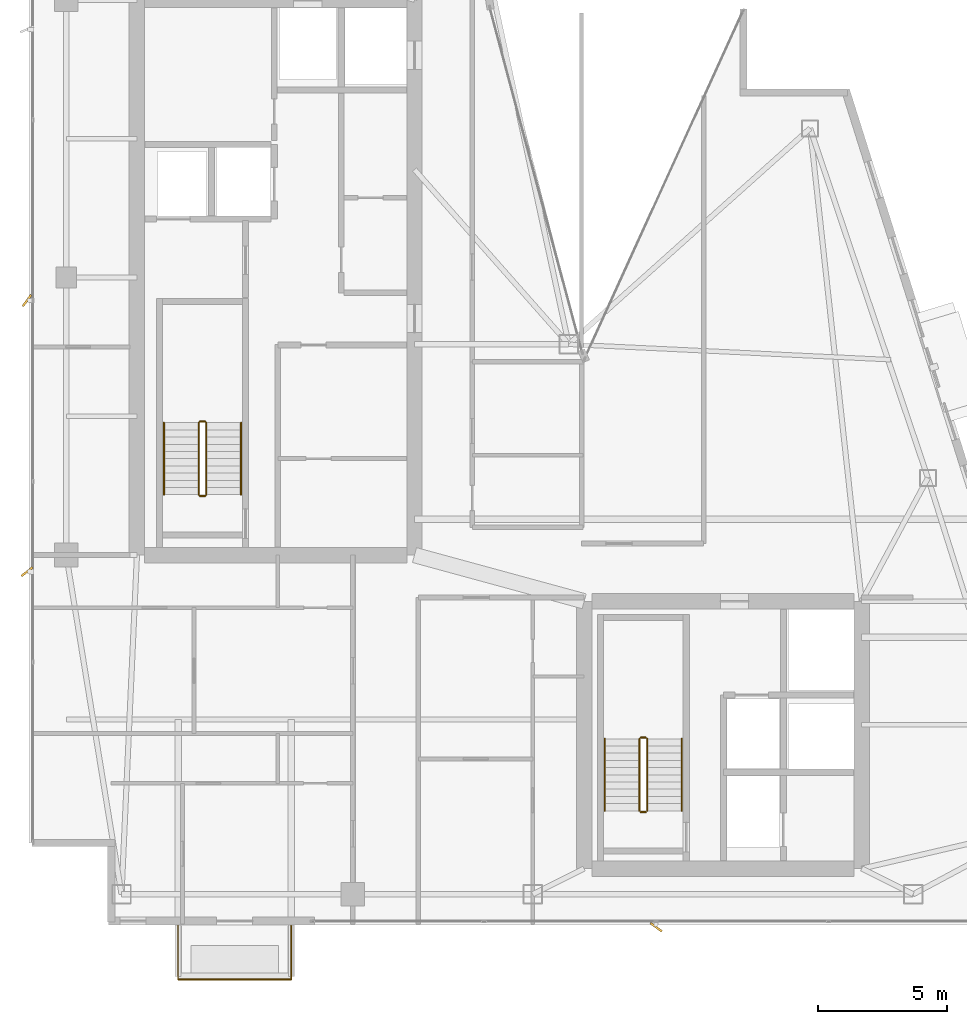
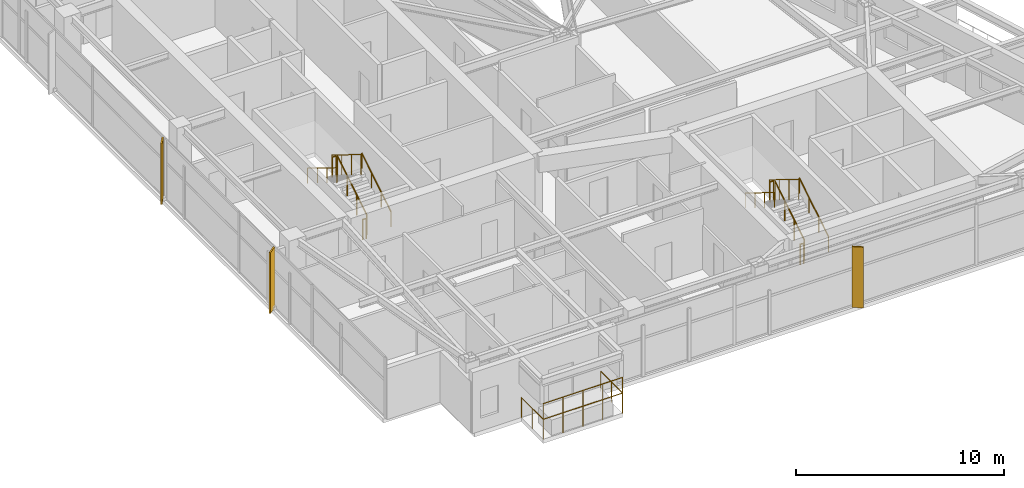
# One storey, part 26 of 27: 14 railings, 3 shading devices.
"""IFC4 building model written with IfcOpenShell, lengths in metres."""

from ifc_helpers import new_model, si_unit, direction, frame, origin, origin_2d, place, context, subcontext, project, spatial, rectangle, circle, extrude, material, type_object, element, save


model = new_model("IFC4")

# Units and contexts
model_context = context("Model", 3, precision=1e-05, world=origin(), true_north=direction((0.0, 1.0)))
body_context = subcontext(model_context, "Body", "Model", "MODEL_VIEW")
ifc_project = project(units=[si_unit("LENGTHUNIT", "METRE"), si_unit("AREAUNIT", "SQUARE_METRE"), si_unit("VOLUMEUNIT", "CUBIC_METRE"), si_unit("PLANEANGLEUNIT", "RADIAN"), si_unit("MASSUNIT", "GRAM", prefix="KILO")], contexts=[model_context])

# Site, building, storey
site_placement = place(None, origin())
site = spatial("IfcSite", under=ifc_project, at=site_placement, CompositionType="ELEMENT")
building_placement = place(site_placement, origin())
building = spatial("IfcBuilding", under=site, at=building_placement, Name="Calvorn Quay Hotel", CompositionType="ELEMENT")
storey_placement = place(building_placement, frame((0.0, 0.0, 294.89990234375)))
storey = spatial("IfcBuildingStorey", under=building, at=storey_placement, Name="L73", CompositionType="ELEMENT", Elevation=294.89990234375)

# Railings
ifc_material_1 = material(Name="Pale Anodised Aluminium and Laminated Glass", Category="aluminium")
railing_type_1 = type_object("IfcRailingType", Name="RLG-BALUSTRADE-1200", PredefinedType="BALUSTRADE", material=ifc_material_1)
railing_1_placement = place(storey_placement, frame((5.800048828125, 2.389892578125, 0.0)))
element("IfcRailing", 1, at=railing_1_placement, inside=storey, type_object=railing_type_1, Name="Tree Balcony Perimeter Balustrade L73-BALC-S", PredefinedType="BALUSTRADE", context=body_context, shape_type="SweptSolid", body=[
    extrude(circle(Radius=0.02392578125, at=origin_2d()), frame((0.0, 0.0, 1.17578125), z_axis=(0.0, -1.0, 0.0), x_axis=(1.0, 0.0, 0.0)), (0.0, 0.0, 1.0), 2.099853515625),
    extrude(circle(Radius=0.02392578125, at=origin_2d()), frame((0.0, -2.099853515625, 1.17578125), z_axis=(1.0, 0.0, 0.0), x_axis=(0.0, 1.0, 0.0)), (0.0, 0.0, 1.0), 4.39990234375),
    extrude(circle(Radius=0.02392578125, at=origin_2d()), frame((4.39990234375, -2.099853515625, 1.17578125), z_axis=(0.0, 1.0, 0.0), x_axis=(-1.0, 0.0, 0.0)), (0.0, 0.0, 1.0), 2.099853515625),
    extrude(circle(Radius=0.02099609375, at=origin_2d()), origin(), (0.0, 0.0, 1.0), 1.15185546875),
    extrude(circle(Radius=0.02099609375, at=origin_2d()), frame((0.0, -1.0498046875, 0.0)), (0.0, 0.0, 1.0), 1.15185546875),
    extrude(circle(Radius=0.02099609375, at=origin_2d()), frame((0.0, -2.099853515625, 0.0)), (0.0, 0.0, 1.0), 1.15185546875),
    extrude(circle(Radius=0.02099609375, at=origin_2d()), frame((1.10009765625, -2.099853515625, 0.0)), (0.0, 0.0, 1.0), 1.15185546875),
    extrude(circle(Radius=0.02099609375, at=origin_2d()), frame((2.199951171875, -2.099853515625, 0.0)), (0.0, 0.0, 1.0), 1.15185546875),
    extrude(circle(Radius=0.02099609375, at=origin_2d()), frame((3.2998046875, -2.099853515625, 0.0)), (0.0, 0.0, 1.0), 1.15185546875),
    extrude(circle(Radius=0.02099609375, at=origin_2d()), frame((4.39990234375, -2.099853515625, 0.0)), (0.0, 0.0, 1.0), 1.15185546875),
    extrude(circle(Radius=0.02099609375, at=origin_2d()), frame((4.39990234375, -1.0498046875, 0.0)), (0.0, 0.0, 1.0), 1.15185546875),
    extrude(circle(Radius=0.02099609375, at=origin_2d()), frame((4.39990234375, 0.0, 0.0)), (0.0, 0.0, 1.0), 1.15185546875),
])
railing_2_placement = place(storey_placement, frame((5.800048828125, 0.2900390625, 0.900146484375)))
element("IfcRailing", 2, at=railing_2_placement, inside=storey, type_object=railing_type_1, Name="Planter Kerb High Safety Screen L73-BALC-S", PredefinedType="BALUSTRADE", context=body_context, shape_type="SweptSolid", body=[
    extrude(circle(Radius=0.02392578125, at=origin_2d()), frame((0.0, 0.0, 1.19580078125), z_axis=(1.0, 0.0, 0.0), x_axis=(0.0, 1.0, 0.0)), (0.0, 0.0, 1.0), 4.39990234375),
    extrude(circle(Radius=0.02099609375, at=origin_2d()), origin(), (0.0, 0.0, 1.0), 1.171875),
    extrude(circle(Radius=0.02099609375, at=origin_2d()), frame((1.10009765625, 0.0, 0.0)), (0.0, 0.0, 1.0), 1.171875),
    extrude(circle(Radius=0.02099609375, at=origin_2d()), frame((2.199951171875, 0.0, 0.0)), (0.0, 0.0, 1.0), 1.171875),
    extrude(circle(Radius=0.02099609375, at=origin_2d()), frame((3.2998046875, 0.0, 0.0)), (0.0, 0.0, 1.0), 1.171875),
    extrude(circle(Radius=0.02099609375, at=origin_2d()), frame((4.39990234375, 0.0, 0.0)), (0.0, 0.0, 1.0), 1.171875),
])
ifc_material_2 = material(Name="Brushed Stainless Steel Handrail", Category="steel")
railing_type_2 = type_object("IfcRailingType", Name="RLG-HANDRAIL-900", PredefinedType="HANDRAIL", material=ifc_material_2)
railing_3_placement = place(storey_placement, frame((8.25, 19.14990234375, 0.1728515625)))
element("IfcRailing", 3, at=railing_3_placement, inside=storey, type_object=railing_type_2, Name="L73 ST-W stair handrail 1", PredefinedType="HANDRAIL", context=body_context, shape_type="SweptSolid", body=[
    extrude(circle(Radius=0.02392578125, at=origin_2d()), frame((0.0, 0.0, 0.8759765625), z_axis=(0.0, 0.851089632645, 0.525020415988), x_axis=(-1.0, 0.0, 0.0)), (0.0, 0.0, 1.0), 3.2900390625),
    extrude(circle(Radius=0.02099609375, at=origin_2d()), origin(), (0.0, 0.0, 1.0), 0.851806640625),
    extrude(circle(Radius=0.02099609375, at=origin_2d()), frame((0.0, 0.933349609375, 0.57568359375)), (0.0, 0.0, 1.0), 0.851806640625),
    extrude(circle(Radius=0.02099609375, at=origin_2d()), frame((0.0, 1.86669921875, 1.151611328125)), (0.0, 0.0, 1.0), 0.851806640625),
    extrude(circle(Radius=0.02099609375, at=origin_2d()), frame((0.0, 2.800048828125, 1.727294921875)), (0.0, 0.0, 1.0), 0.851806640625),
])
railing_4_placement = place(storey_placement, frame((5.25, 21.949951171875, 2.07275390625)))
element("IfcRailing", 4, at=railing_4_placement, inside=storey, type_object=railing_type_2, Name="L73 ST-W stair handrail 2", PredefinedType="HANDRAIL", context=body_context, shape_type="SweptSolid", body=[
    extrude(circle(Radius=0.02392578125, at=origin_2d()), frame((0.0, 0.0, 0.8759765625), z_axis=(0.0, -0.851089632645, 0.525020415988), x_axis=(1.0, 0.0, 0.0)), (0.0, 0.0, 1.0), 3.2900390625),
    extrude(circle(Radius=0.02099609375, at=origin_2d()), origin(), (0.0, 0.0, 1.0), 0.851806640625),
    extrude(circle(Radius=0.02099609375, at=origin_2d()), frame((0.0, -0.933349609375, 0.57568359375)), (0.0, 0.0, 1.0), 0.851806640625),
    extrude(circle(Radius=0.02099609375, at=origin_2d()), frame((0.0, -1.86669921875, 1.151611328125)), (0.0, 0.0, 1.0), 0.851806640625),
    extrude(circle(Radius=0.02099609375, at=origin_2d()), frame((0.0, -2.800048828125, 1.727294921875)), (0.0, 0.0, 1.0), 0.851806640625),
])
railing_5_placement = place(storey_placement, frame((25.39990234375, 6.85009765625, 0.1728515625)))
element("IfcRailing", 5, at=railing_5_placement, inside=storey, type_object=railing_type_2, Name="L73 ST-E stair handrail 1", PredefinedType="HANDRAIL", context=body_context, shape_type="SweptSolid", body=[
    extrude(circle(Radius=0.02392578125, at=origin_2d()), frame((0.0, 0.0, 0.8759765625), z_axis=(0.0, 0.851069175582, 0.525053576669), x_axis=(-1.0, 0.0, 0.0)), (0.0, 0.0, 1.0), 3.289794921875),
    extrude(circle(Radius=0.02099609375, at=origin_2d()), origin(), (0.0, 0.0, 1.0), 0.851806640625),
    extrude(circle(Radius=0.02099609375, at=origin_2d()), frame((0.0, 0.933349609375, 0.57568359375)), (0.0, 0.0, 1.0), 0.851806640625),
    extrude(circle(Radius=0.02099609375, at=origin_2d()), frame((0.0, 1.866455078125, 1.151611328125)), (0.0, 0.0, 1.0), 0.851806640625),
    extrude(circle(Radius=0.02099609375, at=origin_2d()), frame((0.0, 2.7998046875, 1.727294921875)), (0.0, 0.0, 1.0), 0.851806640625),
])
railing_6_placement = place(storey_placement, frame((22.39990234375, 9.64990234375, 2.07275390625)))
element("IfcRailing", 6, at=railing_6_placement, inside=storey, type_object=railing_type_2, Name="L73 ST-E stair handrail 2", PredefinedType="HANDRAIL", context=body_context, shape_type="SweptSolid", body=[
    extrude(circle(Radius=0.02392578125, at=origin_2d()), frame((0.0, 0.0, 0.8759765625), z_axis=(0.0, -0.851069175582, 0.525053576669), x_axis=(1.0, 0.0, 0.0)), (0.0, 0.0, 1.0), 3.289794921875),
    extrude(circle(Radius=0.02099609375, at=origin_2d()), origin(), (0.0, 0.0, 1.0), 0.851806640625),
    extrude(circle(Radius=0.02099609375, at=origin_2d()), frame((0.0, -0.933349609375, 0.57568359375)), (0.0, 0.0, 1.0), 0.851806640625),
    extrude(circle(Radius=0.02099609375, at=origin_2d()), frame((0.0, -1.866455078125, 1.151611328125)), (0.0, 0.0, 1.0), 0.851806640625),
    extrude(circle(Radius=0.02099609375, at=origin_2d()), frame((0.0, -2.7998046875, 1.727294921875)), (0.0, 0.0, 1.0), 0.851806640625),
])
ifc_material_3 = material(Name="Painted Galvanised Steel Balustrade", Category="steel")
railing_type_3 = type_object("IfcRailingType", Name="RLG-STAIR-GUARD-1120", PredefinedType="GUARDRAIL", material=ifc_material_3)
railing_7_placement = place(storey_placement, frame((6.89990234375, 19.14990234375, 0.1728515625)))
element("IfcRailing", 7, at=railing_7_placement, inside=storey, type_object=railing_type_3, Name="L73 ST-W stair guard 1", PredefinedType="GUARDRAIL", context=body_context, shape_type="SweptSolid", body=[
    extrude(circle(Radius=0.02392578125, at=origin_2d()), frame((0.0, 0.0, 1.17578125), z_axis=(0.0, 0.851089632645, 0.525020415988), x_axis=(-1.0, 0.0, 0.0)), (0.0, 0.0, 1.0), 3.2900390625),
    extrude(circle(Radius=0.02099609375, at=origin_2d()), origin(), (0.0, 0.0, 1.0), 1.15185546875),
    extrude(circle(Radius=0.02099609375, at=origin_2d()), frame((0.0, 0.933349609375, 0.57568359375)), (0.0, 0.0, 1.0), 1.15185546875),
    extrude(circle(Radius=0.02099609375, at=origin_2d()), frame((0.0, 1.86669921875, 1.151611328125)), (0.0, 0.0, 1.0), 1.15185546875),
    extrude(circle(Radius=0.02099609375, at=origin_2d()), frame((0.0, 2.800048828125, 1.727294921875)), (0.0, 0.0, 1.0), 1.15185546875),
])
railing_8_placement = place(storey_placement, frame((6.85009765625, 22.0, 1.900146484375)))
element("IfcRailing", 8, at=railing_8_placement, inside=storey, type_object=railing_type_3, Name="L73 ST-W stair guard 2", PredefinedType="GUARDRAIL", context=body_context, shape_type="SweptSolid", body=[
    extrude(circle(Radius=0.02392578125, at=origin_2d()), frame((0.0, 0.0, 1.17578125), z_axis=(-1.0, 0.0, 0.0), x_axis=(0.0, -1.0, 0.0)), (0.0, 0.0, 1.0), 0.2001953125),
    extrude(circle(Radius=0.02099609375, at=origin_2d()), origin(), (0.0, 0.0, 1.0), 1.15185546875),
    extrude(circle(Radius=0.02099609375, at=origin_2d()), frame((-0.2001953125, 0.0, 0.0)), (0.0, 0.0, 1.0), 1.15185546875),
])
railing_9_placement = place(storey_placement, frame((6.60009765625, 21.949951171875, 2.07275390625)))
element("IfcRailing", 9, at=railing_9_placement, inside=storey, type_object=railing_type_3, Name="L73 ST-W stair guard 3", PredefinedType="GUARDRAIL", context=body_context, shape_type="SweptSolid", body=[
    extrude(circle(Radius=0.02392578125, at=origin_2d()), frame((0.0, 0.0, 1.17578125), z_axis=(0.0, -0.851089632645, 0.525020415988), x_axis=(1.0, 0.0, 0.0)), (0.0, 0.0, 1.0), 3.2900390625),
    extrude(circle(Radius=0.02099609375, at=origin_2d()), origin(), (0.0, 0.0, 1.0), 1.15185546875),
    extrude(circle(Radius=0.02099609375, at=origin_2d()), frame((0.0, -0.933349609375, 0.57568359375)), (0.0, 0.0, 1.0), 1.15185546875),
    extrude(circle(Radius=0.02099609375, at=origin_2d()), frame((0.0, -1.86669921875, 1.151611328125)), (0.0, 0.0, 1.0), 1.15185546875),
    extrude(circle(Radius=0.02099609375, at=origin_2d()), frame((0.0, -2.800048828125, 1.727294921875)), (0.0, 0.0, 1.0), 1.15185546875),
])
railing_10_placement = place(storey_placement, frame((6.85009765625, 19.10009765625, 0.0)))
element("IfcRailing", 10, at=railing_10_placement, inside=storey, type_object=railing_type_3, Name="L73 ST-W stair guard 4", PredefinedType="GUARDRAIL", context=body_context, shape_type="SweptSolid", body=[
    extrude(circle(Radius=0.02392578125, at=origin_2d()), frame((0.0, 0.0, 1.17578125), z_axis=(-1.0, 0.0, 0.0), x_axis=(0.0, -1.0, 0.0)), (0.0, 0.0, 1.0), 0.2001953125),
    extrude(circle(Radius=0.02099609375, at=origin_2d()), origin(), (0.0, 0.0, 1.0), 1.15185546875),
    extrude(circle(Radius=0.02099609375, at=origin_2d()), frame((-0.2001953125, 0.0, 0.0)), (0.0, 0.0, 1.0), 1.15185546875),
])
railing_11_placement = place(storey_placement, frame((24.050048828125, 6.85009765625, 0.1728515625)))
element("IfcRailing", 11, at=railing_11_placement, inside=storey, type_object=railing_type_3, Name="L73 ST-E stair guard 1", PredefinedType="GUARDRAIL", context=body_context, shape_type="SweptSolid", body=[
    extrude(circle(Radius=0.02392578125, at=origin_2d()), frame((0.0, 0.0, 1.17578125), z_axis=(0.0, 0.851069175582, 0.525053576669), x_axis=(-1.0, 0.0, 0.0)), (0.0, 0.0, 1.0), 3.289794921875),
    extrude(circle(Radius=0.02099609375, at=origin_2d()), origin(), (0.0, 0.0, 1.0), 1.15185546875),
    extrude(circle(Radius=0.02099609375, at=origin_2d()), frame((0.0, 0.933349609375, 0.57568359375)), (0.0, 0.0, 1.0), 1.15185546875),
    extrude(circle(Radius=0.02099609375, at=origin_2d()), frame((0.0, 1.866455078125, 1.151611328125)), (0.0, 0.0, 1.0), 1.15185546875),
    extrude(circle(Radius=0.02099609375, at=origin_2d()), frame((0.0, 2.7998046875, 1.727294921875)), (0.0, 0.0, 1.0), 1.15185546875),
])
railing_12_placement = place(storey_placement, frame((24.0, 9.699951171875, 1.900146484375)))
element("IfcRailing", 12, at=railing_12_placement, inside=storey, type_object=railing_type_3, Name="L73 ST-E stair guard 2", PredefinedType="GUARDRAIL", context=body_context, shape_type="SweptSolid", body=[
    extrude(circle(Radius=0.02392578125, at=origin_2d()), frame((0.0, 0.0, 1.17578125), z_axis=(-1.0, 0.0, 0.0), x_axis=(0.0, -1.0, 0.0)), (0.0, 0.0, 1.0), 0.199951171875),
    extrude(circle(Radius=0.02099609375, at=origin_2d()), origin(), (0.0, 0.0, 1.0), 1.15185546875),
    extrude(circle(Radius=0.02099609375, at=origin_2d()), frame((-0.199951171875, 0.0, 0.0)), (0.0, 0.0, 1.0), 1.15185546875),
])
railing_13_placement = place(storey_placement, frame((23.75, 9.64990234375, 2.07275390625)))
element("IfcRailing", 13, at=railing_13_placement, inside=storey, type_object=railing_type_3, Name="L73 ST-E stair guard 3", PredefinedType="GUARDRAIL", context=body_context, shape_type="SweptSolid", body=[
    extrude(circle(Radius=0.02392578125, at=origin_2d()), frame((0.0, 0.0, 1.17578125), z_axis=(0.0, -0.851069175582, 0.525053576669), x_axis=(1.0, 0.0, 0.0)), (0.0, 0.0, 1.0), 3.289794921875),
    extrude(circle(Radius=0.02099609375, at=origin_2d()), origin(), (0.0, 0.0, 1.0), 1.15185546875),
    extrude(circle(Radius=0.02099609375, at=origin_2d()), frame((0.0, -0.933349609375, 0.57568359375)), (0.0, 0.0, 1.0), 1.15185546875),
    extrude(circle(Radius=0.02099609375, at=origin_2d()), frame((0.0, -1.866455078125, 1.151611328125)), (0.0, 0.0, 1.0), 1.15185546875),
    extrude(circle(Radius=0.02099609375, at=origin_2d()), frame((0.0, -2.7998046875, 1.727294921875)), (0.0, 0.0, 1.0), 1.15185546875),
])
railing_14_placement = place(storey_placement, frame((24.0, 6.800048828125, 0.0)))
element("IfcRailing", 14, at=railing_14_placement, inside=storey, type_object=railing_type_3, Name="L73 ST-E stair guard 4", PredefinedType="GUARDRAIL", context=body_context, shape_type="SweptSolid", body=[
    extrude(circle(Radius=0.02392578125, at=origin_2d()), frame((0.0, 0.0, 1.17578125), z_axis=(-1.0, 0.0, 0.0), x_axis=(0.0, -1.0, 0.0)), (0.0, 0.0, 1.0), 0.199951171875),
    extrude(circle(Radius=0.02099609375, at=origin_2d()), origin(), (0.0, 0.0, 1.0), 1.15185546875),
    extrude(circle(Radius=0.02099609375, at=origin_2d()), frame((-0.199951171875, 0.0, 0.0)), (0.0, 0.0, 1.0), 1.15185546875),
])

# Shading devices
ifc_material_4 = material(Name="Champagne Bronze Anodised Aluminium 6063-T6", Category="aluminium")
shading_device_type_1 = type_object("IfcShadingDeviceType", Name="SHD-FIN-A2", PredefinedType="USERDEFINED", material=ifc_material_4)
shading_device_placement = place(storey_placement, frame((-0.080078125, 16.14990234375, 0.0), z_axis=(0.0, 0.0, 1.0), x_axis=(0.788010753607, 0.615661475326, 0.0)))
element("IfcShadingDevice", 15, at=shading_device_placement, inside=storey, type_object=shading_device_type_1, Name="Diagonal Sun-Shading Fin L73-W01", ObjectType="FIN", PredefinedType="USERDEFINED", context=body_context, shape_type="SweptSolid", body=[
    extrude(rectangle(XDim=0.550048828125, YDim=0.080078125, at=origin_2d()), origin(), (0.0, 0.0, 1.0), 3.56005859375),
])
ifc_material_5 = material(Name="Champagne Bronze Anodised Aluminium 6063-T6", Category="aluminium")
shading_device_type_2 = type_object("IfcShadingDeviceType", Name="SHD-FIN-A3", PredefinedType="USERDEFINED", material=ifc_material_5)
for number, where, z_axis, x_axis, name in (
    (16, (-0.080078125, 26.699951171875, 0.0), (0.0, 0.0, 1.0), (0.587785252292, 0.809016994375, 0.0), "Diagonal Sun-Shading Fin L73-W02"),
    (17, (24.39990234375, 2.320068359375, 0.0), (0.0, 0.0, 1.0), (-0.809016994375, 0.587785252292, 0.0), "Diagonal Sun-Shading Fin L73-S01"),
):
    element("IfcShadingDevice", number, at=place(storey_placement, frame(where, z_axis=z_axis, x_axis=x_axis)), inside=storey, type_object=shading_device_type_2, Name=name, ObjectType="FIN", PredefinedType="USERDEFINED", context=body_context, shape_type="SweptSolid", body=[
        extrude(rectangle(XDim=0.550048828125, YDim=0.080078125, at=origin_2d()), origin(), (0.0, 0.0, 1.0), 3.56005859375),
    ])

save(model, "model.ifc")
